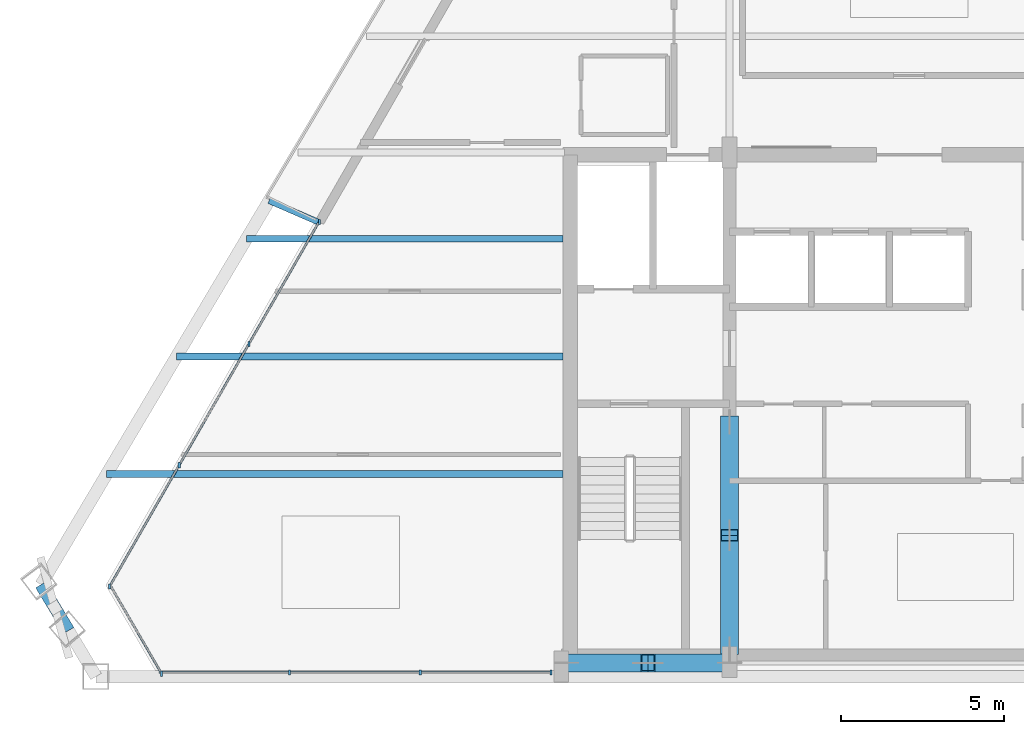
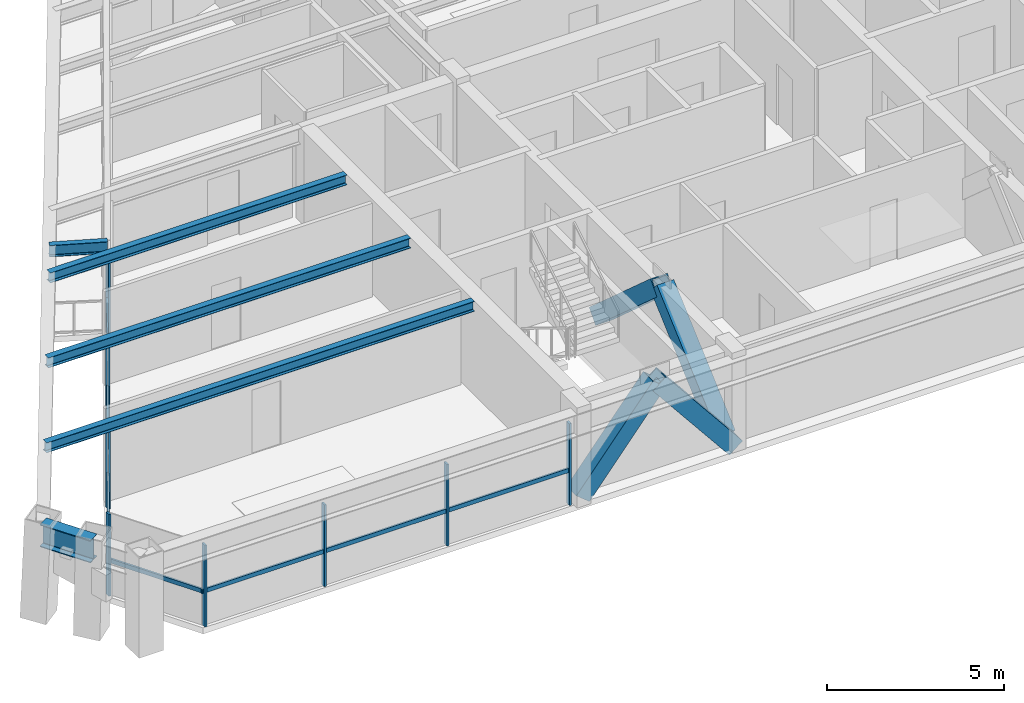
# One storey, part 2 of 13: 19 members, 5 beams, 3 elements without a shape of their own.
"""IFC4 building model written with IfcOpenShell, lengths in metres."""

from ifc_helpers import new_model, si_unit, direction, frame, origin, origin_2d, place, context, subcontext, project, spatial, rectangle, hollow_rectangle, i_section, extrude, source, transform, mapped, material, material_profile, profile_set, type_object, type_shapes, element, aggregate, save


model = new_model("IFC4")

# Units and contexts
model_context = context("Model", 3, precision=1e-05, world=origin(), true_north=direction((0.0, 1.0)))
body_context = subcontext(model_context, "Body", "Model", "MODEL_VIEW")
ifc_project = project(units=[si_unit("LENGTHUNIT", "METRE"), si_unit("AREAUNIT", "SQUARE_METRE"), si_unit("VOLUMEUNIT", "CUBIC_METRE"), si_unit("PLANEANGLEUNIT", "RADIAN"), si_unit("MASSUNIT", "GRAM", prefix="KILO")], contexts=[model_context])

# Site, building, storey
site_placement = place(None, origin())
site = spatial("IfcSite", under=ifc_project, at=site_placement, CompositionType="ELEMENT")
building_placement = place(site_placement, origin())
building = spatial("IfcBuilding", under=site, at=building_placement, Name="Varnakhor Terracotta Tower", CompositionType="ELEMENT")
storey_placement = place(building_placement, frame((0.0, 0.0, 290.25)))
storey = spatial("IfcBuildingStorey", under=building, at=storey_placement, Name="L76", CompositionType="ELEMENT", Elevation=290.25)

# Members
ifc_material_1 = material(Name="Steel S355", Category="steel")
ifc_material_profile_1 = material_profile(ifc_material_1, hollow_rectangle(XDim=0.550048828125, YDim=0.550048828125, WallThickness=0.034912109375, at=origin_2d()), Name="HSS550X550X35")
ifc_profile_set_1 = profile_set([ifc_material_profile_1], Name="Steel S355")
member_type_1 = type_object("IfcMemberType", Name="MBR-MEGA-550", PredefinedType="BRACE", material=ifc_profile_set_1)
shared_shape_1 = source(origin(), body_context, "Body", "SweptSolid", [
    extrude(hollow_rectangle(XDim=0.550048828125, YDim=0.550048828125, WallThickness=0.034912109375, at=origin_2d()), origin(), (0.0, 0.0, 1.0), 3.974853515625),
])
for number, where, z_axis, x_axis, name in (
    (1, (-10.5, 0.419921875, 0.0), (0.628970263838, 0.0, 0.777429358339), (0.0, 1.0, 0.0), "L76 Core Coupled Brace CSWA"),
    (2, (-5.5, 0.419921875, 0.0), (-0.628970263838, 0.0, 0.777429358339), (0.0, -1.0, 0.0), "L76 Core Coupled Brace CSWB"),
):
    element("IfcMember", number, at=place(storey_placement, frame(where, z_axis=z_axis, x_axis=x_axis)), inside=storey, type_object=member_type_1, Name=name, PredefinedType="BRACE", context=body_context, shape_type="MappedRepresentation", body=[
        mapped(shared_shape_1, transform((0.0, 0.0, 0.0), scale=1.0)),
    ])
shared_shape_2 = source(origin(), body_context, "Body", "SweptSolid", [
    extrude(hollow_rectangle(XDim=0.550048828125, YDim=0.550048828125, WallThickness=0.034912109375, at=origin_2d()), origin(), (0.0, 0.0, 1.0), 4.650146484375),
])
for number, where, z_axis, x_axis, name in (
    (3, (-5.5, 0.85009765625, 0.0), (0.0, 0.74726736397, 0.664523503532), (-1.0, 0.0, 0.0), "L76 Core Coupled Brace CWWA"),
    (4, (-5.5, 7.800048828125, 0.0), (0.0, -0.74729054724, 0.664497432655), (1.0, 0.0, 0.0), "L76 Core Coupled Brace CWWB"),
):
    element("IfcMember", number, at=place(storey_placement, frame(where, z_axis=z_axis, x_axis=x_axis)), inside=storey, type_object=member_type_1, Name=name, PredefinedType="BRACE", context=body_context, shape_type="MappedRepresentation", body=[
        mapped(shared_shape_2, transform((0.0, 0.0, 0.0), scale=1.0)),
    ])

# Beams
ifc_material_profile_2 = material_profile(ifc_material_1, i_section(OverallWidth=0.381103515625, OverallDepth=0.77294921875, WebThickness=0.01708984375, FlangeThickness=0.027099609375, FilletRadius=0.01806640625, at=origin_2d()), Name="W30X173")
ifc_profile_set_2 = profile_set([ifc_material_profile_2], Name="Steel S355")
beam_type_1 = type_object("IfcBeamType", Name="BM-W30X173", PredefinedType="BEAM", material=ifc_profile_set_2)
shared_shape_3 = source(origin(), body_context, "Body", "SweptSolid", [
    extrude(i_section(OverallWidth=0.381103515625, OverallDepth=0.77294921875, WebThickness=0.01708984375, FlangeThickness=0.027099609375, FilletRadius=0.01806640625, at=origin_2d()), origin(), (0.0, 0.0, 1.0), 1.6396484375),
])
beam_1_placement = place(storey_placement, frame((-26.58203125, 2.81396484375, 2.853515625), z_axis=(0.513422365061, -0.858136046939, 0.0), x_axis=(0.858136046939, 0.513422365061, 0.0)))
element("IfcBeam", 5, at=beam_1_placement, inside=storey, type_object=beam_type_1, Name="L76 Perimeter Spandrel 7", PredefinedType="BEAM", context=body_context, shape_type="MappedRepresentation", body=[
    mapped(shared_shape_3, transform((0.0, 0.0, 0.0), scale=1.0)),
])
ifc_material_profile_3 = material_profile(ifc_material_1, i_section(OverallWidth=0.202880859375, OverallDepth=0.346923828125, WebThickness=0.0078125, FlangeThickness=0.013427734375, FilletRadius=0.01806640625, at=origin_2d()), Name="W14X43")
ifc_profile_set_3 = profile_set([ifc_material_profile_3], Name="Steel S355")
beam_type_2 = type_object("IfcBeamType", Name="JST-W14X43", PredefinedType="JOIST", material=ifc_profile_set_3)
shared_shape_4 = source(origin(), body_context, "Body", "SweptSolid", [
    extrude(i_section(OverallWidth=0.202880859375, OverallDepth=0.346923828125, WebThickness=0.0078125, FlangeThickness=0.013427734375, FilletRadius=0.01806640625, at=origin_2d()), origin(), (0.0, 0.0, 1.0), 13.970703125),
])
beam_2_placement = place(storey_placement, frame((-24.57080078125, 6.199951171875, 3.06640625), z_axis=(1.0, 0.0, 0.0), x_axis=(0.0, 1.0, 0.0)))
element("IfcBeam", 6, at=beam_2_placement, inside=storey, type_object=beam_type_2, Name="L76 Floor Joist W1", PredefinedType="JOIST", context=body_context, shape_type="MappedRepresentation", body=[
    mapped(shared_shape_4, transform((0.0, 0.0, 0.0), scale=1.0)),
])
shared_shape_5 = source(origin(), body_context, "Body", "SweptSolid", [
    extrude(i_section(OverallWidth=0.202880859375, OverallDepth=0.346923828125, WebThickness=0.0078125, FlangeThickness=0.013427734375, FilletRadius=0.01806640625, at=origin_2d()), origin(), (0.0, 0.0, 1.0), 11.83203125),
])
beam_3_placement = place(storey_placement, frame((-22.43212890625, 9.800048828125, 3.06640625), z_axis=(1.0, 0.0, 0.0), x_axis=(0.0, 1.0, 0.0)))
element("IfcBeam", 7, at=beam_3_placement, inside=storey, type_object=beam_type_2, Name="L76 Floor Joist W2", PredefinedType="JOIST", context=body_context, shape_type="MappedRepresentation", body=[
    mapped(shared_shape_5, transform((0.0, 0.0, 0.0), scale=1.0)),
])
shared_shape_6 = source(origin(), body_context, "Body", "SweptSolid", [
    extrude(i_section(OverallWidth=0.202880859375, OverallDepth=0.346923828125, WebThickness=0.0078125, FlangeThickness=0.013427734375, FilletRadius=0.01806640625, at=origin_2d()), origin(), (0.0, 0.0, 1.0), 9.693603515625),
])
beam_4_placement = place(storey_placement, frame((-20.293701171875, 13.39990234375, 3.06640625), z_axis=(1.0, 0.0, 0.0), x_axis=(0.0, 1.0, 0.0)))
element("IfcBeam", 8, at=beam_4_placement, inside=storey, type_object=beam_type_2, Name="L76 Floor Joist W3", PredefinedType="JOIST", context=body_context, shape_type="MappedRepresentation", body=[
    mapped(shared_shape_6, transform((0.0, 0.0, 0.0), scale=1.0)),
])

# Curtain wall, members
ifc_material_2 = material(Name="Anodised Aluminium Curtain Wall System", Category="aluminium")
curtain_wall_type = type_object("IfcCurtainWallType", Name="CW-SYS-HOTEL-LOGGIA", PredefinedType="NOTDEFINED", material=ifc_material_2)
curtain_wall_1_placement = place(storey_placement, origin())
curtain_wall_1 = element("IfcCurtainWall", 9, at=curtain_wall_1_placement, inside=storey, type_object=curtain_wall_type, Name="L76 W Facet Curtain Wall 1", PredefinedType="NOTDEFINED")
ifc_material_3 = material(Name="Anodised Aluminium 6063-T6", Category="aluminium")
ifc_material_profile_4 = material_profile(ifc_material_3, rectangle(XDim=0.06494140625, YDim=0.159912109375, at=origin_2d()), Name="ALU MULLION 65x160")
ifc_profile_set_4 = profile_set([ifc_material_profile_4], Name="Anodised Aluminium 6063-T6")
member_type_2 = type_object("IfcMemberType", Name="CWM-04", PredefinedType="MULLION", material=ifc_profile_set_4)
shared_shape_7 = source(origin(), body_context, "Body", "SweptSolid", [
    extrude(rectangle(XDim=0.06494140625, YDim=0.159912109375, at=origin_2d()), origin(), (0.0, 0.0, 1.0), 2.820068359375),
])
type_shapes(member_type_2, [shared_shape_7])
member_1_placement = place(storey_placement, frame((-24.482421875, 2.7587890625, 0.0), z_axis=(0.0, 0.0, 1.0), x_axis=(1.0, 0.0, 0.0)))
member_1 = element("IfcMember", 10, at=member_1_placement, type_object=member_type_2, Name="L76 W Facet Curtain Wall 1 Mullion 1", PredefinedType="MULLION", context=body_context, shape_type="MappedRepresentation", body=[
    mapped(shared_shape_7, transform((0.0, 0.0, 0.0), scale=1.0)),
])
member_2_placement = place(storey_placement, frame((-22.349609375, 6.472412109375, 0.0), z_axis=(0.0, 0.0, 1.0), x_axis=(1.0, 0.0, 0.0)))
member_2 = element("IfcMember", 11, at=member_2_placement, type_object=member_type_2, Name="L76 W Facet Curtain Wall 1 Mullion 2", PredefinedType="MULLION", context=body_context, shape_type="MappedRepresentation", body=[
    mapped(shared_shape_7, transform((0.0, 0.0, 0.0), scale=1.0)),
])
member_3_placement = place(storey_placement, frame((-20.216796875, 10.185791015625, 0.0), z_axis=(0.0, 0.0, 1.0), x_axis=(1.0, 0.0, 0.0)))
member_3 = element("IfcMember", 12, at=member_3_placement, type_object=member_type_2, Name="L76 W Facet Curtain Wall 1 Mullion 3", PredefinedType="MULLION", context=body_context, shape_type="MappedRepresentation", body=[
    mapped(shared_shape_7, transform((0.0, 0.0, 0.0), scale=1.0)),
])
member_4_placement = place(storey_placement, frame((-18.0517578125, 13.915283203125, 0.0), z_axis=(0.0, 0.0, 1.0), x_axis=(1.0, 0.0, 0.0)))
member_4 = element("IfcMember", 13, at=member_4_placement, type_object=member_type_2, Name="L76 W Loggia Jamb Closure Mullion 1", PredefinedType="MULLION", context=body_context, shape_type="MappedRepresentation", body=[
    mapped(shared_shape_7, transform((0.0, 0.0, 0.0), scale=1.0)),
])

curtain_wall_2_placement = place(storey_placement, origin())
curtain_wall_2 = element("IfcCurtainWall", 14, at=curtain_wall_2_placement, inside=storey, type_object=curtain_wall_type, Name="L76 South Wing Curtain Wall SSW", PredefinedType="NOTDEFINED")
member_5_placement = place(storey_placement, frame((-10.969970703125, 0.1201171875, 0.0), z_axis=(0.0, 0.0, 1.0), x_axis=(1.0, 0.0, 0.0)))
member_5 = element("IfcMember", 15, at=member_5_placement, type_object=member_type_2, Name="L76 South Wing Curtain Wall SSW Mullion 1", PredefinedType="MULLION", context=body_context, shape_type="MappedRepresentation", body=[
    mapped(shared_shape_7, transform((0.0, 0.0, 0.0), scale=1.0)),
])
member_6_placement = place(storey_placement, frame((-14.969482421875, 0.1201171875, 0.0), z_axis=(0.0, 0.0, 1.0), x_axis=(1.0, 0.0, 0.0)))
member_6 = element("IfcMember", 16, at=member_6_placement, type_object=member_type_2, Name="L76 South Wing Curtain Wall SSW Mullion 2", PredefinedType="MULLION", context=body_context, shape_type="MappedRepresentation", body=[
    mapped(shared_shape_7, transform((0.0, 0.0, 0.0), scale=1.0)),
])
member_7_placement = place(storey_placement, frame((-18.968994140625, 0.1201171875, 0.0), z_axis=(0.0, 0.0, 1.0), x_axis=(1.0, 0.0, 0.0)))
member_7 = element("IfcMember", 17, at=member_7_placement, type_object=member_type_2, Name="L76 South Wing Curtain Wall SSW Mullion 3", PredefinedType="MULLION", context=body_context, shape_type="MappedRepresentation", body=[
    mapped(shared_shape_7, transform((0.0, 0.0, 0.0), scale=1.0)),
])

# Curtain wall, member
curtain_wall_3_placement = place(storey_placement, origin())
curtain_wall_3 = element("IfcCurtainWall", 18, at=curtain_wall_3_placement, inside=storey, type_object=curtain_wall_type, Name="L76 Facet Curtain Wall 6", PredefinedType="NOTDEFINED")
member_8_placement = place(storey_placement, frame((-22.889892578125, 0.086181640625, 0.0), z_axis=(0.0, 0.0, 1.0), x_axis=(1.0, 0.0, 0.0)))
member_8 = element("IfcMember", 19, at=member_8_placement, type_object=member_type_2, Name="L76 Facet Curtain Wall 6 Mullion 1", PredefinedType="MULLION", context=body_context, shape_type="MappedRepresentation", body=[
    mapped(shared_shape_7, transform((0.0, 0.0, 0.0), scale=1.0)),
])

# Member
ifc_material_profile_5 = material_profile(ifc_material_3, rectangle(XDim=0.06494140625, YDim=0.14501953125, at=origin_2d()), Name="ALU TRANSOM 65x145")
ifc_profile_set_5 = profile_set([ifc_material_profile_5], Name="Anodised Aluminium 6063-T6")
member_type_3 = type_object("IfcMemberType", Name="CWT-04", PredefinedType="USERDEFINED", material=ifc_profile_set_5)
shared_shape_8 = source(origin(), body_context, "Body", "SweptSolid", [
    extrude(rectangle(XDim=0.06494140625, YDim=0.14501953125, at=origin_2d()), origin(), (0.0, 0.0, 1.0), 4.282470703125),
])
member_9_placement = place(storey_placement, frame((-24.482421875, 2.7587890625, 1.184326171875), z_axis=(0.49802869908, 0.867160547357, 0.0), x_axis=(-0.867160547357, 0.49802869908, 0.0)))
member_9 = element("IfcMember", 20, at=member_9_placement, type_object=member_type_3, Name="L76 W Facet Curtain Wall 1 Transom 1", ObjectType="TRANSOM", PredefinedType="USERDEFINED", context=body_context, shape_type="MappedRepresentation", body=[
    mapped(shared_shape_8, transform((0.0, 0.0, 0.0), scale=1.0)),
])

shared_shape_9 = source(origin(), body_context, "Body", "SweptSolid", [
    extrude(rectangle(XDim=0.06494140625, YDim=0.14501953125, at=origin_2d()), origin(), (0.0, 0.0, 1.0), 4.2822265625),
])
member_10_placement = place(storey_placement, frame((-22.349609375, 6.472412109375, 1.184326171875), z_axis=(0.498053320526, 0.867146406273, 0.0), x_axis=(-0.867146406273, 0.498053320526, 0.0)))
member_10 = element("IfcMember", 21, at=member_10_placement, type_object=member_type_3, Name="L76 W Facet Curtain Wall 1 Transom 2", ObjectType="TRANSOM", PredefinedType="USERDEFINED", context=body_context, shape_type="MappedRepresentation", body=[
    mapped(shared_shape_9, transform((0.0, 0.0, 0.0), scale=1.0)),
])

member_11_placement = place(storey_placement, frame((-20.216796875, 10.185791015625, 1.184326171875), z_axis=(0.498053320526, 0.867146406273, 0.0), x_axis=(-0.867146406273, 0.498053320526, 0.0)))
member_11 = element("IfcMember", 22, at=member_11_placement, type_object=member_type_3, Name="L76 W Facet Curtain Wall 1 Transom 3", ObjectType="TRANSOM", PredefinedType="USERDEFINED", context=body_context, shape_type="MappedRepresentation", body=[
    mapped(shared_shape_9, transform((0.0, 0.0, 0.0), scale=1.0)),
])

aggregate(curtain_wall_1, [member_1, member_9, member_2, member_10, member_3, member_11, member_4])

shared_shape_10 = source(origin(), body_context, "Body", "SweptSolid", [
    extrude(rectangle(XDim=0.06494140625, YDim=0.14501953125, at=origin_2d()), origin(), (0.0, 0.0, 1.0), 3.99951171875),
])
member_12_placement = place(storey_placement, frame((-10.969970703125, 0.1201171875, 1.184326171875), z_axis=(-1.0, 0.0, 0.0), x_axis=(0.0, -1.0, 0.0)))
member_12 = element("IfcMember", 23, at=member_12_placement, type_object=member_type_3, Name="L76 South Wing Curtain Wall SSW Transom 1", ObjectType="TRANSOM", PredefinedType="USERDEFINED", context=body_context, shape_type="MappedRepresentation", body=[
    mapped(shared_shape_10, transform((0.0, 0.0, 0.0), scale=1.0)),
])

member_13_placement = place(storey_placement, frame((-14.969482421875, 0.1201171875, 1.184326171875), z_axis=(-1.0, 0.0, 0.0), x_axis=(0.0, -1.0, 0.0)))
member_13 = element("IfcMember", 24, at=member_13_placement, type_object=member_type_3, Name="L76 South Wing Curtain Wall SSW Transom 2", ObjectType="TRANSOM", PredefinedType="USERDEFINED", context=body_context, shape_type="MappedRepresentation", body=[
    mapped(shared_shape_10, transform((0.0, 0.0, 0.0), scale=1.0)),
])

shared_shape_11 = source(origin(), body_context, "Body", "SweptSolid", [
    extrude(rectangle(XDim=0.06494140625, YDim=0.14501953125, at=origin_2d()), origin(), (0.0, 0.0, 1.0), 3.999755859375),
])
member_14_placement = place(storey_placement, frame((-18.968994140625, 0.1201171875, 1.184326171875), z_axis=(-1.0, 0.0, 0.0), x_axis=(0.0, -1.0, 0.0)))
member_14 = element("IfcMember", 25, at=member_14_placement, type_object=member_type_3, Name="L76 South Wing Curtain Wall SSW Transom 3", ObjectType="TRANSOM", PredefinedType="USERDEFINED", context=body_context, shape_type="MappedRepresentation", body=[
    mapped(shared_shape_11, transform((0.0, 0.0, 0.0), scale=1.0)),
])

aggregate(curtain_wall_2, [member_5, member_12, member_6, member_13, member_7, member_14])

shared_shape_12 = source(origin(), body_context, "Body", "SweptSolid", [
    extrude(rectangle(XDim=0.06494140625, YDim=0.14501953125, at=origin_2d()), origin(), (0.0, 0.0, 1.0), 3.169921875),
])
member_15_placement = place(storey_placement, frame((-22.889892578125, 0.086181640625, 1.184326171875), z_axis=(-0.502462491408, 0.864599008054, 0.0), x_axis=(-0.864599008054, -0.502462491408, 0.0)))
member_15 = element("IfcMember", 26, at=member_15_placement, type_object=member_type_3, Name="L76 Facet Curtain Wall 6 Transom 1", ObjectType="TRANSOM", PredefinedType="USERDEFINED", context=body_context, shape_type="MappedRepresentation", body=[
    mapped(shared_shape_12, transform((0.0, 0.0, 0.0), scale=1.0)),
])

aggregate(curtain_wall_3, [member_8, member_15])

# Beam
ifc_material_profile_6 = material_profile(ifc_material_1, i_section(OverallWidth=0.179931640625, OverallDepth=0.39990234375, WebThickness=0.008544921875, FlangeThickness=0.013427734375, FilletRadius=0.01806640625, at=origin_2d()), Name="IPE400")
ifc_profile_set_6 = profile_set([ifc_material_profile_6], Name="Steel S355")
beam_type_3 = type_object("IfcBeamType", Name="JST-IPE400", PredefinedType="JOIST", material=ifc_profile_set_6)
shared_shape_13 = source(origin(), body_context, "Body", "SweptSolid", [
    extrude(i_section(OverallWidth=0.179931640625, OverallDepth=0.39990234375, WebThickness=0.008544921875, FlangeThickness=0.013427734375, FilletRadius=0.01806640625, at=origin_2d()), origin(), (0.0, 0.0, 1.0), 1.660888671875),
])
beam_5_placement = place(storey_placement, frame((-18.076171875, 13.906982421875, 3.0400390625), z_axis=(-0.917364253465, 0.398048773976, 0.0), x_axis=(-0.398048773976, -0.917364253465, 0.0)))
element("IfcBeam", 27, at=beam_5_placement, inside=storey, type_object=beam_type_3, Name="L77 W Loggia Tie Beam 1", PredefinedType="JOIST", context=body_context, shape_type="MappedRepresentation", body=[
    mapped(shared_shape_13, transform((0.0, 0.0, 0.0), scale=1.0)),
])

save(model, "model.ifc")
